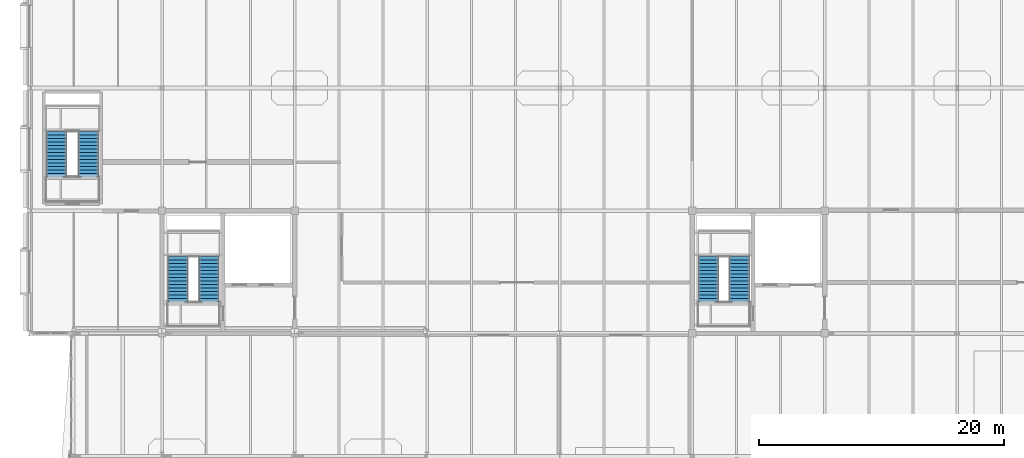
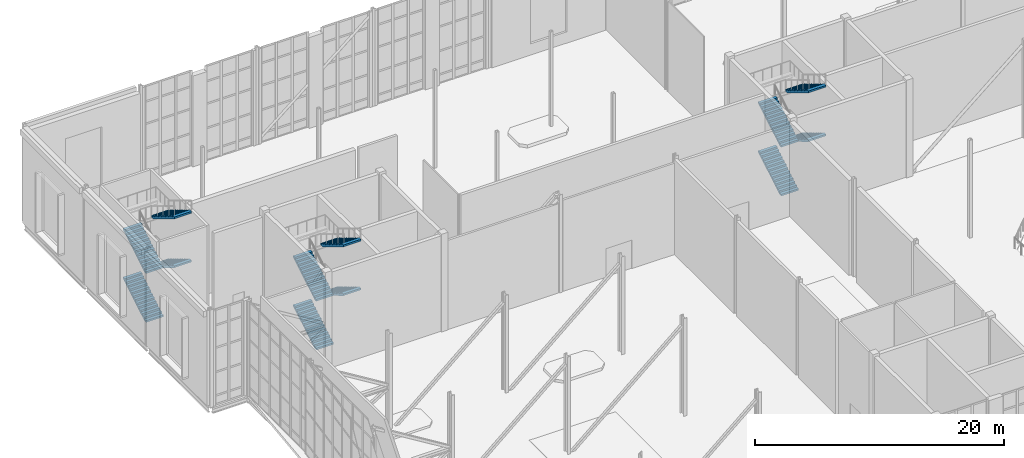
# One storey, part 90 of 100: 12 stair flights, 3 elements without a shape of their own.
"""IFC4 building model written with IfcOpenShell, lengths in metres."""

from ifc_helpers import new_model, si_unit, direction, frame, origin, place, context, subcontext, project, spatial, polyline, outline, extrude, material, type_object, element, aggregate, save


model = new_model("IFC4")

# Units and contexts
model_context = context("Model", 3, precision=1e-05, world=origin(), true_north=direction((0.0, 1.0)))
body_context = subcontext(model_context, "Body", "Model", "MODEL_VIEW")
ifc_project = project(units=[si_unit("LENGTHUNIT", "METRE"), si_unit("AREAUNIT", "SQUARE_METRE"), si_unit("VOLUMEUNIT", "CUBIC_METRE"), si_unit("PLANEANGLEUNIT", "RADIAN"), si_unit("MASSUNIT", "GRAM", prefix="KILO")], contexts=[model_context])

# Site, building, storey
site_placement = place(None, origin())
site = spatial("IfcSite", under=ifc_project, at=site_placement, CompositionType="ELEMENT")
building_placement = place(site_placement, origin())
building = spatial("IfcBuilding", under=site, at=building_placement, Name="Tasgan Crest Museum", CompositionType="ELEMENT")
storey_placement = place(building_placement, frame((0.0, 0.0, 14.39990234375)))
storey = spatial("IfcBuildingStorey", under=building, at=storey_placement, Name="L03", CompositionType="ELEMENT", Elevation=14.39990234375)

# Stair, stair flights
ifc_material_1 = material(Name="Concrete C35/45", Category="concrete")
stair_type = type_object("IfcStairType", Name="ST-CORE-96", PredefinedType="HALF_TURN_STAIR", material=ifc_material_1)
stair_1_placement = place(storey_placement, origin())
stair_1 = element("IfcStair", 1, at=stair_1_placement, inside=storey, type_object=stair_type, Name="Stair ST-NW-L03 L03", PredefinedType="HALF_TURN_STAIR")
ifc_material_2 = material(Name="Concrete C35/45", Category="concrete")
stair_flight_type = type_object("IfcStairFlightType", Name="SF-RC-1620", PredefinedType="STRAIGHT", material=ifc_material_2)
stair_flight_1_placement = place(storey_placement, frame((12.110107421875, 84.550048828125, 0.0), z_axis=(0.0, 0.0, 1.0), x_axis=(0.0, 1.0, 0.0)))
stair_flight_1 = element("IfcStairFlight", 2, at=stair_flight_1_placement, type_object=stair_flight_type, Name="ST-NW-L03 flight 1", NumberOfRisers=14, NumberOfTreads=13, PredefinedType="STRAIGHT", RiserHeight=0.171428571, TreadLength=0.285, context=body_context, shape_type="SweptSolid", body=[
    extrude(outline(polyline([(0.0, 0.0), (0.0, 0.17138671875), (0.284912109375, 0.17138671875), (0.284912109375, 0.3427734375), (0.570068359375, 0.3427734375), (0.570068359375, 0.514404296875), (0.85498046875, 0.514404296875), (0.85498046875, 0.685791015625), (1.139892578125, 0.685791015625), (1.139892578125, 0.857177734375), (1.425048828125, 0.857177734375), (1.425048828125, 1.028564453125), (1.7099609375, 1.028564453125), (1.7099609375, 1.199951171875), (1.9951171875, 1.199951171875), (1.9951171875, 1.371337890625), (2.280029296875, 1.371337890625), (2.280029296875, 1.54296875), (2.56494140625, 1.54296875), (2.56494140625, 1.71435546875), (2.85009765625, 1.71435546875), (2.85009765625, 1.8857421875), (3.135009765625, 1.8857421875), (3.135009765625, 2.05712890625), (3.419921875, 2.05712890625), (3.419921875, 2.228515625), (3.705078125, 2.228515625), (3.705078125, 2.39990234375), (3.705078125, 2.0537109375), (0.290771484375, 0.0), (0.0, 0.0)])), frame((0.0, 0.81005859375, 0.0), z_axis=(0.0, -1.0, 0.0), x_axis=(1.0, 0.0, 0.0)), (0.0, 0.0, 1.0), 1.6201171875),
])
stair_flight_2_placement = place(storey_placement, frame((14.639892578125, 88.2548828125, 2.400146484375), z_axis=(0.0, 0.0, 1.0), x_axis=(0.0, -1.0, 0.0)))
stair_flight_2 = element("IfcStairFlight", 3, at=stair_flight_2_placement, type_object=stair_flight_type, Name="ST-NW-L03 flight 2", NumberOfRisers=14, NumberOfTreads=13, PredefinedType="STRAIGHT", RiserHeight=0.171428571, TreadLength=0.285, context=body_context, shape_type="SweptSolid", body=[
    extrude(outline(polyline([(0.0, 0.0), (0.0, 0.17138671875), (0.284912109375, 0.17138671875), (0.284912109375, 0.3427734375), (0.570068359375, 0.3427734375), (0.570068359375, 0.514404296875), (0.85498046875, 0.514404296875), (0.85498046875, 0.685791015625), (1.139892578125, 0.685791015625), (1.139892578125, 0.857177734375), (1.425048828125, 0.857177734375), (1.425048828125, 1.028564453125), (1.7099609375, 1.028564453125), (1.7099609375, 1.199951171875), (1.9951171875, 1.199951171875), (1.9951171875, 1.371337890625), (2.280029296875, 1.371337890625), (2.280029296875, 1.54296875), (2.56494140625, 1.54296875), (2.56494140625, 1.71435546875), (2.85009765625, 1.71435546875), (2.85009765625, 1.8857421875), (3.135009765625, 1.8857421875), (3.135009765625, 2.05712890625), (3.419921875, 2.05712890625), (3.419921875, 2.228515625), (3.705078125, 2.228515625), (3.705078125, 2.39990234375), (3.705078125, 2.0537109375), (0.290771484375, 0.0), (0.0, 0.0)])), frame((0.0, 0.81005859375, 0.0), z_axis=(0.0, -1.0, 0.0), x_axis=(1.0, 0.0, 0.0)), (0.0, 0.0, 1.0), 1.6201171875),
])
stair_flight_3_placement = place(storey_placement, frame((12.110107421875, 84.550048828125, 4.800048828125), z_axis=(0.0, 0.0, 1.0), x_axis=(0.0, 1.0, 0.0)))
stair_flight_3 = element("IfcStairFlight", 4, at=stair_flight_3_placement, type_object=stair_flight_type, Name="ST-NW-L03 flight 3", NumberOfRisers=14, NumberOfTreads=13, PredefinedType="STRAIGHT", RiserHeight=0.171428571, TreadLength=0.285, context=body_context, shape_type="SweptSolid", body=[
    extrude(outline(polyline([(0.0, 0.0), (0.0, 0.17138671875), (0.284912109375, 0.17138671875), (0.284912109375, 0.3427734375), (0.570068359375, 0.3427734375), (0.570068359375, 0.514404296875), (0.85498046875, 0.514404296875), (0.85498046875, 0.685791015625), (1.139892578125, 0.685791015625), (1.139892578125, 0.857177734375), (1.425048828125, 0.857177734375), (1.425048828125, 1.028564453125), (1.7099609375, 1.028564453125), (1.7099609375, 1.199951171875), (1.9951171875, 1.199951171875), (1.9951171875, 1.371337890625), (2.280029296875, 1.371337890625), (2.280029296875, 1.54296875), (2.56494140625, 1.54296875), (2.56494140625, 1.71435546875), (2.85009765625, 1.71435546875), (2.85009765625, 1.8857421875), (3.135009765625, 1.8857421875), (3.135009765625, 2.05712890625), (3.419921875, 2.05712890625), (3.419921875, 2.228515625), (3.705078125, 2.228515625), (3.705078125, 2.39990234375), (3.705078125, 2.0537109375), (0.290771484375, 0.0), (0.0, 0.0)])), frame((0.0, 0.81005859375, 0.0), z_axis=(0.0, -1.0, 0.0), x_axis=(1.0, 0.0, 0.0)), (0.0, 0.0, 1.0), 1.6201171875),
])
stair_flight_4_placement = place(storey_placement, frame((14.639892578125, 88.2548828125, 7.2001953125), z_axis=(0.0, 0.0, 1.0), x_axis=(0.0, -1.0, 0.0)))
stair_flight_4 = element("IfcStairFlight", 5, at=stair_flight_4_placement, type_object=stair_flight_type, Name="ST-NW-L03 flight 4", NumberOfRisers=14, NumberOfTreads=13, PredefinedType="STRAIGHT", RiserHeight=0.171428571, TreadLength=0.285, context=body_context, shape_type="SweptSolid", body=[
    extrude(outline(polyline([(0.0, 0.0), (0.0, 0.17138671875), (0.284912109375, 0.17138671875), (0.284912109375, 0.3427734375), (0.570068359375, 0.3427734375), (0.570068359375, 0.514404296875), (0.85498046875, 0.514404296875), (0.85498046875, 0.685791015625), (1.139892578125, 0.685791015625), (1.139892578125, 0.857177734375), (1.425048828125, 0.857177734375), (1.425048828125, 1.028564453125), (1.7099609375, 1.028564453125), (1.7099609375, 1.199951171875), (1.9951171875, 1.199951171875), (1.9951171875, 1.371337890625), (2.280029296875, 1.371337890625), (2.280029296875, 1.54296875), (2.56494140625, 1.54296875), (2.56494140625, 1.71435546875), (2.85009765625, 1.71435546875), (2.85009765625, 1.8857421875), (3.135009765625, 1.8857421875), (3.135009765625, 2.05712890625), (3.419921875, 2.05712890625), (3.419921875, 2.228515625), (3.705078125, 2.228515625), (3.705078125, 2.39990234375), (3.705078125, 2.0537109375), (0.290771484375, 0.0), (0.0, 0.0)])), frame((0.0, 0.81005859375, 0.0), z_axis=(0.0, -1.0, 0.0), x_axis=(1.0, 0.0, 0.0)), (0.0, 0.0, 1.0), 1.6201171875),
])
aggregate(stair_1, [stair_flight_1, stair_flight_2, stair_flight_3, stair_flight_4])

stair_2_placement = place(storey_placement, origin())
stair_2 = element("IfcStair", 6, at=stair_2_placement, inside=storey, type_object=stair_type, Name="Stair ST-NC-L03 L03", PredefinedType="HALF_TURN_STAIR")
stair_flight_5_placement = place(storey_placement, frame((55.31005859375, 84.550048828125, 0.0), z_axis=(0.0, 0.0, 1.0), x_axis=(0.0, 1.0, 0.0)))
stair_flight_5 = element("IfcStairFlight", 7, at=stair_flight_5_placement, type_object=stair_flight_type, Name="ST-NC-L03 flight 1", NumberOfRisers=14, NumberOfTreads=13, PredefinedType="STRAIGHT", RiserHeight=0.171428571, TreadLength=0.285, context=body_context, shape_type="SweptSolid", body=[
    extrude(outline(polyline([(0.0, 0.0), (0.0, 0.17138671875), (0.284912109375, 0.17138671875), (0.284912109375, 0.3427734375), (0.570068359375, 0.3427734375), (0.570068359375, 0.514404296875), (0.85498046875, 0.514404296875), (0.85498046875, 0.685791015625), (1.139892578125, 0.685791015625), (1.139892578125, 0.857177734375), (1.425048828125, 0.857177734375), (1.425048828125, 1.028564453125), (1.7099609375, 1.028564453125), (1.7099609375, 1.199951171875), (1.9951171875, 1.199951171875), (1.9951171875, 1.371337890625), (2.280029296875, 1.371337890625), (2.280029296875, 1.54296875), (2.56494140625, 1.54296875), (2.56494140625, 1.71435546875), (2.85009765625, 1.71435546875), (2.85009765625, 1.8857421875), (3.135009765625, 1.8857421875), (3.135009765625, 2.05712890625), (3.419921875, 2.05712890625), (3.419921875, 2.228515625), (3.705078125, 2.228515625), (3.705078125, 2.39990234375), (3.705078125, 2.0537109375), (0.290771484375, 0.0), (0.0, 0.0)])), frame((0.0, 0.81005859375, 0.0), z_axis=(0.0, -1.0, 0.0), x_axis=(1.0, 0.0, 0.0)), (0.0, 0.0, 1.0), 1.6201171875),
])
stair_flight_6_placement = place(storey_placement, frame((57.840087890625, 88.2548828125, 2.400146484375), z_axis=(0.0, 0.0, 1.0), x_axis=(0.0, -1.0, 0.0)))
stair_flight_6 = element("IfcStairFlight", 8, at=stair_flight_6_placement, type_object=stair_flight_type, Name="ST-NC-L03 flight 2", NumberOfRisers=14, NumberOfTreads=13, PredefinedType="STRAIGHT", RiserHeight=0.171428571, TreadLength=0.285, context=body_context, shape_type="SweptSolid", body=[
    extrude(outline(polyline([(0.0, 0.0), (0.0, 0.17138671875), (0.284912109375, 0.17138671875), (0.284912109375, 0.3427734375), (0.570068359375, 0.3427734375), (0.570068359375, 0.514404296875), (0.85498046875, 0.514404296875), (0.85498046875, 0.685791015625), (1.139892578125, 0.685791015625), (1.139892578125, 0.857177734375), (1.425048828125, 0.857177734375), (1.425048828125, 1.028564453125), (1.7099609375, 1.028564453125), (1.7099609375, 1.199951171875), (1.9951171875, 1.199951171875), (1.9951171875, 1.371337890625), (2.280029296875, 1.371337890625), (2.280029296875, 1.54296875), (2.56494140625, 1.54296875), (2.56494140625, 1.71435546875), (2.85009765625, 1.71435546875), (2.85009765625, 1.8857421875), (3.135009765625, 1.8857421875), (3.135009765625, 2.05712890625), (3.419921875, 2.05712890625), (3.419921875, 2.228515625), (3.705078125, 2.228515625), (3.705078125, 2.39990234375), (3.705078125, 2.0537109375), (0.290771484375, 0.0), (0.0, 0.0)])), frame((0.0, 0.81005859375, 0.0), z_axis=(0.0, -1.0, 0.0), x_axis=(1.0, 0.0, 0.0)), (0.0, 0.0, 1.0), 1.6201171875),
])
stair_flight_7_placement = place(storey_placement, frame((55.31005859375, 84.550048828125, 4.800048828125), z_axis=(0.0, 0.0, 1.0), x_axis=(0.0, 1.0, 0.0)))
stair_flight_7 = element("IfcStairFlight", 9, at=stair_flight_7_placement, type_object=stair_flight_type, Name="ST-NC-L03 flight 3", NumberOfRisers=14, NumberOfTreads=13, PredefinedType="STRAIGHT", RiserHeight=0.171428571, TreadLength=0.285, context=body_context, shape_type="SweptSolid", body=[
    extrude(outline(polyline([(0.0, 0.0), (0.0, 0.17138671875), (0.284912109375, 0.17138671875), (0.284912109375, 0.3427734375), (0.570068359375, 0.3427734375), (0.570068359375, 0.514404296875), (0.85498046875, 0.514404296875), (0.85498046875, 0.685791015625), (1.139892578125, 0.685791015625), (1.139892578125, 0.857177734375), (1.425048828125, 0.857177734375), (1.425048828125, 1.028564453125), (1.7099609375, 1.028564453125), (1.7099609375, 1.199951171875), (1.9951171875, 1.199951171875), (1.9951171875, 1.371337890625), (2.280029296875, 1.371337890625), (2.280029296875, 1.54296875), (2.56494140625, 1.54296875), (2.56494140625, 1.71435546875), (2.85009765625, 1.71435546875), (2.85009765625, 1.8857421875), (3.135009765625, 1.8857421875), (3.135009765625, 2.05712890625), (3.419921875, 2.05712890625), (3.419921875, 2.228515625), (3.705078125, 2.228515625), (3.705078125, 2.39990234375), (3.705078125, 2.0537109375), (0.290771484375, 0.0), (0.0, 0.0)])), frame((0.0, 0.81005859375, 0.0), z_axis=(0.0, -1.0, 0.0), x_axis=(1.0, 0.0, 0.0)), (0.0, 0.0, 1.0), 1.6201171875),
])
stair_flight_8_placement = place(storey_placement, frame((57.840087890625, 88.2548828125, 7.2001953125), z_axis=(0.0, 0.0, 1.0), x_axis=(0.0, -1.0, 0.0)))
stair_flight_8 = element("IfcStairFlight", 10, at=stair_flight_8_placement, type_object=stair_flight_type, Name="ST-NC-L03 flight 4", NumberOfRisers=14, NumberOfTreads=13, PredefinedType="STRAIGHT", RiserHeight=0.171428571, TreadLength=0.285, context=body_context, shape_type="SweptSolid", body=[
    extrude(outline(polyline([(0.0, 0.0), (0.0, 0.17138671875), (0.284912109375, 0.17138671875), (0.284912109375, 0.3427734375), (0.570068359375, 0.3427734375), (0.570068359375, 0.514404296875), (0.85498046875, 0.514404296875), (0.85498046875, 0.685791015625), (1.139892578125, 0.685791015625), (1.139892578125, 0.857177734375), (1.425048828125, 0.857177734375), (1.425048828125, 1.028564453125), (1.7099609375, 1.028564453125), (1.7099609375, 1.199951171875), (1.9951171875, 1.199951171875), (1.9951171875, 1.371337890625), (2.280029296875, 1.371337890625), (2.280029296875, 1.54296875), (2.56494140625, 1.54296875), (2.56494140625, 1.71435546875), (2.85009765625, 1.71435546875), (2.85009765625, 1.8857421875), (3.135009765625, 1.8857421875), (3.135009765625, 2.05712890625), (3.419921875, 2.05712890625), (3.419921875, 2.228515625), (3.705078125, 2.228515625), (3.705078125, 2.39990234375), (3.705078125, 2.0537109375), (0.290771484375, 0.0), (0.0, 0.0)])), frame((0.0, 0.81005859375, 0.0), z_axis=(0.0, -1.0, 0.0), x_axis=(1.0, 0.0, 0.0)), (0.0, 0.0, 1.0), 1.6201171875),
])
aggregate(stair_2, [stair_flight_5, stair_flight_6, stair_flight_7, stair_flight_8])

stair_3_placement = place(storey_placement, origin())
stair_3 = element("IfcStair", 11, at=stair_3_placement, inside=storey, type_object=stair_type, Name="Stair ST-GW-L03 L03", PredefinedType="HALF_TURN_STAIR")
stair_flight_9_placement = place(storey_placement, frame((2.18994140625, 94.75, 0.0), z_axis=(0.0, 0.0, 1.0), x_axis=(0.0, 1.0, 0.0)))
stair_flight_9 = element("IfcStairFlight", 12, at=stair_flight_9_placement, type_object=stair_flight_type, Name="ST-GW-L03 flight 1", NumberOfRisers=14, NumberOfTreads=13, PredefinedType="STRAIGHT", RiserHeight=0.171428571, TreadLength=0.285, context=body_context, shape_type="SweptSolid", body=[
    extrude(outline(polyline([(0.0, 0.0), (0.0, 0.17138671875), (0.284912109375, 0.17138671875), (0.284912109375, 0.3427734375), (0.570068359375, 0.3427734375), (0.570068359375, 0.514404296875), (0.85498046875, 0.514404296875), (0.85498046875, 0.685791015625), (1.139892578125, 0.685791015625), (1.139892578125, 0.857177734375), (1.425048828125, 0.857177734375), (1.425048828125, 1.028564453125), (1.7099609375, 1.028564453125), (1.7099609375, 1.199951171875), (1.9951171875, 1.199951171875), (1.9951171875, 1.371337890625), (2.280029296875, 1.371337890625), (2.280029296875, 1.54296875), (2.56494140625, 1.54296875), (2.56494140625, 1.71435546875), (2.85009765625, 1.71435546875), (2.85009765625, 1.8857421875), (3.135009765625, 1.8857421875), (3.135009765625, 2.05712890625), (3.419921875, 2.05712890625), (3.419921875, 2.228515625), (3.705078125, 2.228515625), (3.705078125, 2.39990234375), (3.705078125, 2.0537109375), (0.290771484375, 0.0), (0.0, 0.0)])), frame((0.0, 0.81005859375, 0.0), z_axis=(0.0, -1.0, 0.0), x_axis=(1.0, 0.0, 0.0)), (0.0, 0.0, 1.0), 1.6201171875),
])
stair_flight_10_placement = place(storey_placement, frame((4.81005859375, 98.455078125, 2.400146484375), z_axis=(0.0, 0.0, 1.0), x_axis=(0.0, -1.0, 0.0)))
stair_flight_10 = element("IfcStairFlight", 13, at=stair_flight_10_placement, type_object=stair_flight_type, Name="ST-GW-L03 flight 2", NumberOfRisers=14, NumberOfTreads=13, PredefinedType="STRAIGHT", RiserHeight=0.171428571, TreadLength=0.285, context=body_context, shape_type="SweptSolid", body=[
    extrude(outline(polyline([(0.0, 0.0), (0.0, 0.17138671875), (0.284912109375, 0.17138671875), (0.284912109375, 0.3427734375), (0.570068359375, 0.3427734375), (0.570068359375, 0.514404296875), (0.85498046875, 0.514404296875), (0.85498046875, 0.685791015625), (1.139892578125, 0.685791015625), (1.139892578125, 0.857177734375), (1.425048828125, 0.857177734375), (1.425048828125, 1.028564453125), (1.7099609375, 1.028564453125), (1.7099609375, 1.199951171875), (1.9951171875, 1.199951171875), (1.9951171875, 1.371337890625), (2.280029296875, 1.371337890625), (2.280029296875, 1.54296875), (2.56494140625, 1.54296875), (2.56494140625, 1.71435546875), (2.85009765625, 1.71435546875), (2.85009765625, 1.8857421875), (3.135009765625, 1.8857421875), (3.135009765625, 2.05712890625), (3.419921875, 2.05712890625), (3.419921875, 2.228515625), (3.705078125, 2.228515625), (3.705078125, 2.39990234375), (3.705078125, 2.0537109375), (0.290771484375, 0.0), (0.0, 0.0)])), frame((0.0, 0.81005859375, 0.0), z_axis=(0.0, -1.0, 0.0), x_axis=(1.0, 0.0, 0.0)), (0.0, 0.0, 1.0), 1.6201171875),
])
stair_flight_11_placement = place(storey_placement, frame((2.18994140625, 94.75, 4.800048828125), z_axis=(0.0, 0.0, 1.0), x_axis=(0.0, 1.0, 0.0)))
stair_flight_11 = element("IfcStairFlight", 14, at=stair_flight_11_placement, type_object=stair_flight_type, Name="ST-GW-L03 flight 3", NumberOfRisers=14, NumberOfTreads=13, PredefinedType="STRAIGHT", RiserHeight=0.171428571, TreadLength=0.285, context=body_context, shape_type="SweptSolid", body=[
    extrude(outline(polyline([(0.0, 0.0), (0.0, 0.17138671875), (0.284912109375, 0.17138671875), (0.284912109375, 0.3427734375), (0.570068359375, 0.3427734375), (0.570068359375, 0.514404296875), (0.85498046875, 0.514404296875), (0.85498046875, 0.685791015625), (1.139892578125, 0.685791015625), (1.139892578125, 0.857177734375), (1.425048828125, 0.857177734375), (1.425048828125, 1.028564453125), (1.7099609375, 1.028564453125), (1.7099609375, 1.199951171875), (1.9951171875, 1.199951171875), (1.9951171875, 1.371337890625), (2.280029296875, 1.371337890625), (2.280029296875, 1.54296875), (2.56494140625, 1.54296875), (2.56494140625, 1.71435546875), (2.85009765625, 1.71435546875), (2.85009765625, 1.8857421875), (3.135009765625, 1.8857421875), (3.135009765625, 2.05712890625), (3.419921875, 2.05712890625), (3.419921875, 2.228515625), (3.705078125, 2.228515625), (3.705078125, 2.39990234375), (3.705078125, 2.0537109375), (0.290771484375, 0.0), (0.0, 0.0)])), frame((0.0, 0.81005859375, 0.0), z_axis=(0.0, -1.0, 0.0), x_axis=(1.0, 0.0, 0.0)), (0.0, 0.0, 1.0), 1.6201171875),
])
stair_flight_12_placement = place(storey_placement, frame((4.81005859375, 98.455078125, 7.2001953125), z_axis=(0.0, 0.0, 1.0), x_axis=(0.0, -1.0, 0.0)))
stair_flight_12 = element("IfcStairFlight", 15, at=stair_flight_12_placement, type_object=stair_flight_type, Name="ST-GW-L03 flight 4", NumberOfRisers=14, NumberOfTreads=13, PredefinedType="STRAIGHT", RiserHeight=0.171428571, TreadLength=0.285, context=body_context, shape_type="SweptSolid", body=[
    extrude(outline(polyline([(0.0, 0.0), (0.0, 0.17138671875), (0.284912109375, 0.17138671875), (0.284912109375, 0.3427734375), (0.570068359375, 0.3427734375), (0.570068359375, 0.514404296875), (0.85498046875, 0.514404296875), (0.85498046875, 0.685791015625), (1.139892578125, 0.685791015625), (1.139892578125, 0.857177734375), (1.425048828125, 0.857177734375), (1.425048828125, 1.028564453125), (1.7099609375, 1.028564453125), (1.7099609375, 1.199951171875), (1.9951171875, 1.199951171875), (1.9951171875, 1.371337890625), (2.280029296875, 1.371337890625), (2.280029296875, 1.54296875), (2.56494140625, 1.54296875), (2.56494140625, 1.71435546875), (2.85009765625, 1.71435546875), (2.85009765625, 1.8857421875), (3.135009765625, 1.8857421875), (3.135009765625, 2.05712890625), (3.419921875, 2.05712890625), (3.419921875, 2.228515625), (3.705078125, 2.228515625), (3.705078125, 2.39990234375), (3.705078125, 2.0537109375), (0.290771484375, 0.0), (0.0, 0.0)])), frame((0.0, 0.81005859375, 0.0), z_axis=(0.0, -1.0, 0.0), x_axis=(1.0, 0.0, 0.0)), (0.0, 0.0, 1.0), 1.6201171875),
])
aggregate(stair_3, [stair_flight_9, stair_flight_10, stair_flight_11, stair_flight_12])

save(model, "model.ifc")
